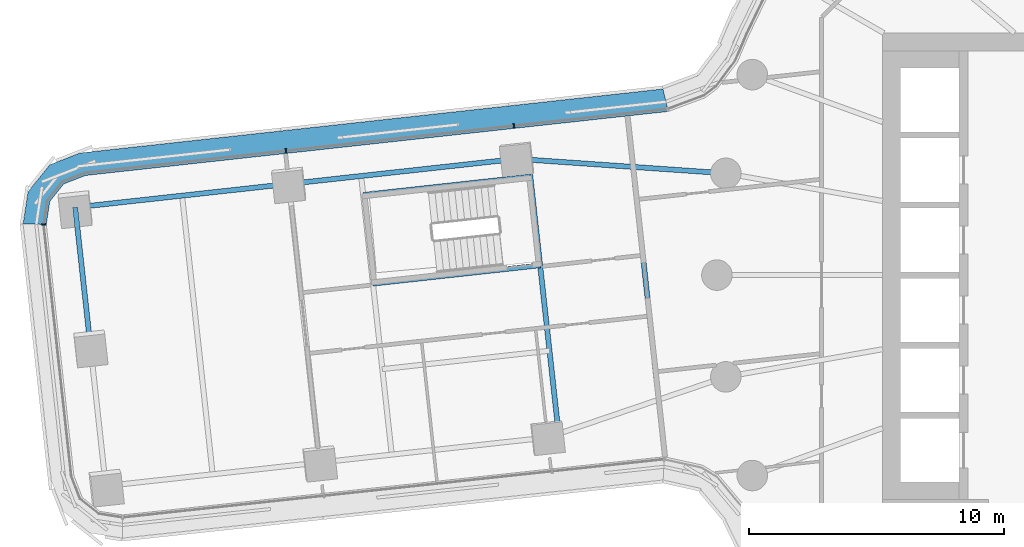
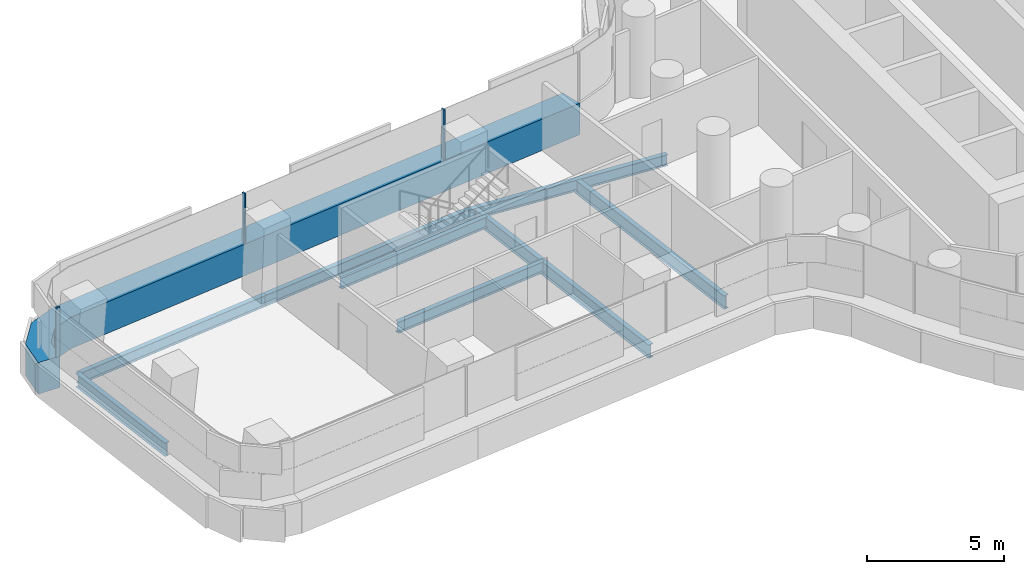
# One storey, part 6 of 31: 8 beams, 4 members, 2 elements without a shape of their own.
"""IFC4 building model written with IfcOpenShell, lengths in metres."""

from ifc_helpers import new_model, si_unit, direction, frame, origin, origin_2d, place, context, subcontext, project, spatial, polyline, rectangle, i_section, outline, extrude, material, layer, layer_set, material_profile, profile_set, type_object, element, aggregate, save


model = new_model("IFC4")

# Units and contexts
model_context = context("Model", 3, precision=1e-05, world=origin(), true_north=direction((0.0, 1.0)))
body_context = subcontext(model_context, "Body", "Model", "MODEL_VIEW")
ifc_project = project(units=[si_unit("LENGTHUNIT", "METRE"), si_unit("AREAUNIT", "SQUARE_METRE"), si_unit("VOLUMEUNIT", "CUBIC_METRE"), si_unit("PLANEANGLEUNIT", "RADIAN"), si_unit("MASSUNIT", "GRAM", prefix="KILO")], contexts=[model_context])

# Site, building, storey
site_placement = place(None, origin())
site = spatial("IfcSite", under=ifc_project, at=site_placement, CompositionType="ELEMENT")
building_placement = place(site_placement, origin())
building = spatial("IfcBuilding", under=site, at=building_placement, Name="Tamarind Cross Interchange Tower", CompositionType="ELEMENT")
storey_placement = place(building_placement, frame((0.0, 0.0, 56.5)))
storey = spatial("IfcBuildingStorey", under=building, at=storey_placement, Name="L12", CompositionType="ELEMENT", Elevation=56.5)

# Beams
ifc_material_1 = material(Name="Steel Q355B", Category="steel")
ifc_material_profile_1 = material_profile(ifc_material_1, i_section(OverallWidth=0.198974609375, OverallDepth=0.49609375, WebThickness=0.009033203125, FlangeThickness=0.013916015625, FilletRadius=0.012939453125, at=origin_2d()), Name="HN 496x199x9x14")
ifc_profile_set_1 = profile_set([ifc_material_profile_1], Name="Steel Q355B")
beam_type_1 = type_object("IfcBeamType", Name="Composite beam HN 496x199x9x14 Q355B", PredefinedType="BEAM", material=ifc_profile_set_1)
beam_1_placement = place(storey_placement, frame((-48.186279296875, 2.656494140625, -0.387939453125), z_axis=(0.99401950058, 0.109202712726, 0.0), x_axis=(-0.109202712726, 0.99401950058, 0.0)))
element("IfcBeam", 1, at=beam_1_placement, inside=storey, type_object=beam_type_1, Name="Beam W-edgeem5", PredefinedType="BEAM", context=body_context, shape_type="SweptSolid", body=[
    extrude(i_section(OverallWidth=0.198974609375, OverallDepth=0.49609375, WebThickness=0.009033203125, FlangeThickness=0.013916015625, FilletRadius=0.012939453125, at=origin_2d()), origin(), (0.0, 0.0, 1.0), 8.439697265625),
])
beam_2_placement = place(storey_placement, frame((-39.797119140625, 3.578125, -0.387939453125), z_axis=(0.994021561308, 0.109183953287, 0.0), x_axis=(-0.109183953287, 0.994021561308, 0.0)))
element("IfcBeam", 2, at=beam_2_placement, inside=storey, type_object=beam_type_1, Name="Beam W-edgeem6", PredefinedType="BEAM", context=body_context, shape_type="SweptSolid", body=[
    extrude(i_section(OverallWidth=0.198974609375, OverallDepth=0.49609375, WebThickness=0.009033203125, FlangeThickness=0.013916015625, FilletRadius=0.012939453125, at=origin_2d()), origin(), (0.0, 0.0, 1.0), 9.0),
])
beam_3_placement = place(storey_placement, frame((-30.850830078125, 4.560791015625, -0.387939453125), z_axis=(0.997618926195, -0.068967224801, 0.0), x_axis=(0.068967224801, 0.997618926195, 0.0)))
element("IfcBeam", 3, at=beam_3_placement, inside=storey, type_object=beam_type_1, Name="Beam W-linkem", PredefinedType="BEAM", context=body_context, shape_type="SweptSolid", body=[
    extrude(i_section(OverallWidth=0.198974609375, OverallDepth=0.49609375, WebThickness=0.009033203125, FlangeThickness=0.013916015625, FilletRadius=0.012939453125, at=origin_2d()), origin(), (0.0, 0.0, 1.0), 8.2197265625),
])
for number, where, z_axis, x_axis, name in (
    (4, (-30.32177734375, 3.864501953125, -0.387939453125), (-0.994020105403, -0.109197207173, 0.0), (0.109197207173, -0.994020105403, 0.0), "Beam W-tr0"),
    (5, (-29.939453125, 0.38525390625, -0.387939453125), (-0.994024119898, -0.109160657109, 0.0), (0.109160657109, -0.994024119898, 0.0), "Beam W-tr1"),
):
    element("IfcBeam", number, at=place(storey_placement, frame(where, z_axis=z_axis, x_axis=x_axis)), inside=storey, type_object=beam_type_1, Name=name, PredefinedType="BEAM", context=body_context, shape_type="SweptSolid", body=[
        extrude(i_section(OverallWidth=0.198974609375, OverallDepth=0.49609375, WebThickness=0.009033203125, FlangeThickness=0.013916015625, FilletRadius=0.012939453125, at=origin_2d()), origin(), (0.0, 0.0, 1.0), 6.60009765625),
    ])
ifc_material_profile_2 = material_profile(ifc_material_1, i_section(OverallWidth=0.199951171875, OverallDepth=0.60009765625, WebThickness=0.010986328125, FlangeThickness=0.01708984375, FilletRadius=0.012939453125, at=origin_2d()), Name="HN 600x200x11x17")
ifc_profile_set_2 = profile_set([ifc_material_profile_2], Name="Steel Q355B")
beam_type_2 = type_object("IfcBeamType", Name="Composite beam HN 600x200x11x17 Q355B", PredefinedType="BEAM", material=ifc_profile_set_2)
beam_4_placement = place(storey_placement, frame((-48.186279296875, 2.656494140625, -0.43994140625), z_axis=(0.109198813257, -0.994019928967, 0.0), x_axis=(0.994019928967, 0.109198813257, 0.0)))
element("IfcBeam", 6, at=beam_4_placement, inside=storey, type_object=beam_type_2, Name="Beam W-tip0", PredefinedType="BEAM", context=body_context, shape_type="SweptSolid", body=[
    extrude(i_section(OverallWidth=0.199951171875, OverallDepth=0.60009765625, WebThickness=0.010986328125, FlangeThickness=0.01708984375, FilletRadius=0.012939453125, at=origin_2d()), origin(), (0.0, 0.0, 1.0), 5.5),
])
beam_5_placement = place(storey_placement, frame((-30.394775390625, 4.529296875, -0.43994140625), z_axis=(0.10919555434, -0.994020286972, 0.0), x_axis=(0.994020286972, 0.10919555434, 0.0)))
element("IfcBeam", 7, at=beam_5_placement, inside=storey, type_object=beam_type_2, Name="Beam W-x298", PredefinedType="BEAM", context=body_context, shape_type="SweptSolid", body=[
    extrude(i_section(OverallWidth=0.199951171875, OverallDepth=0.60009765625, WebThickness=0.010986328125, FlangeThickness=0.01708984375, FilletRadius=0.012939453125, at=origin_2d()), origin(), (0.0, 0.0, 1.0), 10.819091796875),
])
beam_6_placement = place(storey_placement, frame((-26.289306640625, 4.245361328125, -0.43994140625), z_axis=(0.109212648775, -0.994018408958, 0.0), x_axis=(0.994018408958, 0.109212648775, 0.0)))
element("IfcBeam", 8, at=beam_6_placement, inside=storey, type_object=beam_type_2, Name="Beam W-x258", PredefinedType="BEAM", context=body_context, shape_type="SweptSolid", body=[
    extrude(i_section(OverallWidth=0.199951171875, OverallDepth=0.60009765625, WebThickness=0.010986328125, FlangeThickness=0.01708984375, FilletRadius=0.012939453125, at=origin_2d()), origin(), (0.0, 0.0, 1.0), 9.18994140625),
])

# Curtain wall, members
ifc_material_2 = material(Name="Aluminium 6063-T6", Category="aluminium")
ifc_layer = layer(ifc_material_2, 0.159912109375)
ifc_layer_set = layer_set([ifc_layer], Name="Aluminium 6063-T6")
curtain_wall_type = type_object("IfcCurtainWallType", Name="Office curtain wall, 9.0 m bays", PredefinedType="NOTDEFINED", material=ifc_layer_set)
curtain_wall_1_placement = place(storey_placement, origin())
curtain_wall_1 = element("IfcCurtainWall", 9, at=curtain_wall_1_placement, inside=storey, type_object=curtain_wall_type, Name="CWS-L12-07", PredefinedType="NOTDEFINED")
ifc_material_3 = material(Name="Aluminium and insulated spandrel panel", Category="aluminium")
member_type_1 = type_object("IfcMemberType", Name="Floor-edge blade transom", PredefinedType="USERDEFINED", material=ifc_material_3)
member_1_placement = place(storey_placement, origin())
member_1 = element("IfcMember", 10, at=member_1_placement, type_object=member_type_1, Name="CWT-L12-07", ObjectType="TRANSOM", PredefinedType="USERDEFINED", context=body_context, shape_type="SweptSolid", body=[
    extrude(outline(polyline([(-24.9091796875, 6.420654296875), (-47.781005859375, 3.908203125), (-48.634033203125, 3.576171875), (-49.18115234375, 2.89404296875), (-49.320068359375, 1.9892578125), (-50.227783203125, 2.0087890625), (-50.0341796875, 3.26904296875), (-49.185302734375, 4.327392578125), (-47.9970703125, 4.7900390625), (-25.11865234375, 7.30322265625), (-24.9091796875, 6.420654296875)])), origin(), (0.0, 0.0, 1.0), 1.39990234375),
])
ifc_material_profile_3 = material_profile(ifc_material_2, rectangle(XDim=0.06005859375, YDim=0.159912109375, at=origin_2d()), Name="Mullion CW1")
ifc_profile_set_3 = profile_set([ifc_material_profile_3], Name="Aluminium 6063-T6")
member_type_2 = type_object("IfcMemberType", Name="Mullion CW1", PredefinedType="MULLION", material=ifc_profile_set_3)
member_2_placement = place(storey_placement, frame((-30.9677734375, 5.855712890625, 1.39990234375), z_axis=(0.0, 0.0, 1.0), x_axis=(-0.994020563105, -0.109193040639, 0.0)))
member_2 = element("IfcMember", 11, at=member_2_placement, type_object=member_type_2, Name="CWM-L12-07-01", PredefinedType="MULLION", context=body_context, shape_type="SweptSolid", body=[
    extrude(rectangle(XDim=0.06005859375, YDim=0.159912109375, at=origin_2d()), origin(), (0.0, 0.0, 1.0), 2.210205078125),
])
member_3_placement = place(storey_placement, frame((-39.913330078125, 4.873046875, 1.39990234375), z_axis=(0.0, 0.0, 1.0), x_axis=(-0.994020563105, -0.109193040639, 0.0)))
member_3 = element("IfcMember", 12, at=member_3_placement, type_object=member_type_2, Name="CWM-L12-07-02", PredefinedType="MULLION", context=body_context, shape_type="SweptSolid", body=[
    extrude(rectangle(XDim=0.06005859375, YDim=0.159912109375, at=origin_2d()), origin(), (0.0, 0.0, 1.0), 2.210205078125),
])
aggregate(curtain_wall_1, [member_2, member_3, member_1])

# Curtain wall, member
curtain_wall_2_placement = place(storey_placement, origin())
curtain_wall_2 = element("IfcCurtainWall", 13, at=curtain_wall_2_placement, inside=storey, type_object=curtain_wall_type, Name="CWS-L12-08", PredefinedType="NOTDEFINED")
member_4_placement = place(storey_placement, frame((-49.4208984375, 1.991455078125, 1.39990234375), z_axis=(0.0, 0.0, 1.0), x_axis=(-0.021486840051, -0.999769131202, 0.0)))
member_4 = element("IfcMember", 14, at=member_4_placement, type_object=member_type_2, Name="CWM-L12-08-00", PredefinedType="MULLION", context=body_context, shape_type="SweptSolid", body=[
    extrude(rectangle(XDim=0.06005859375, YDim=0.159912109375, at=origin_2d()), origin(), (0.0, 0.0, 1.0), 2.210205078125),
])
aggregate(curtain_wall_2, [member_4])

save(model, "model.ifc")
